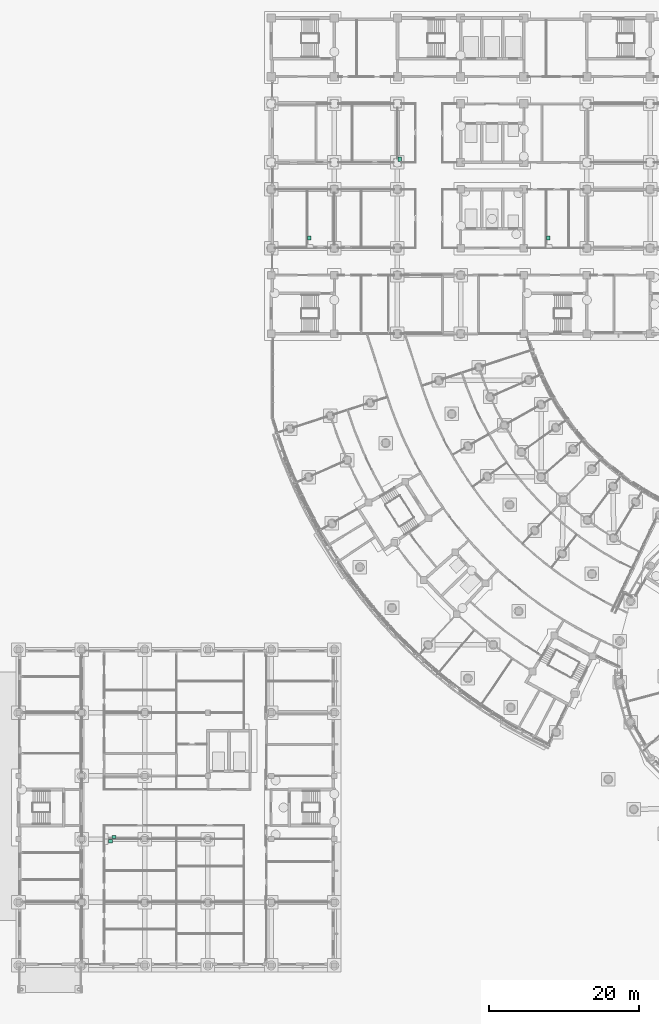
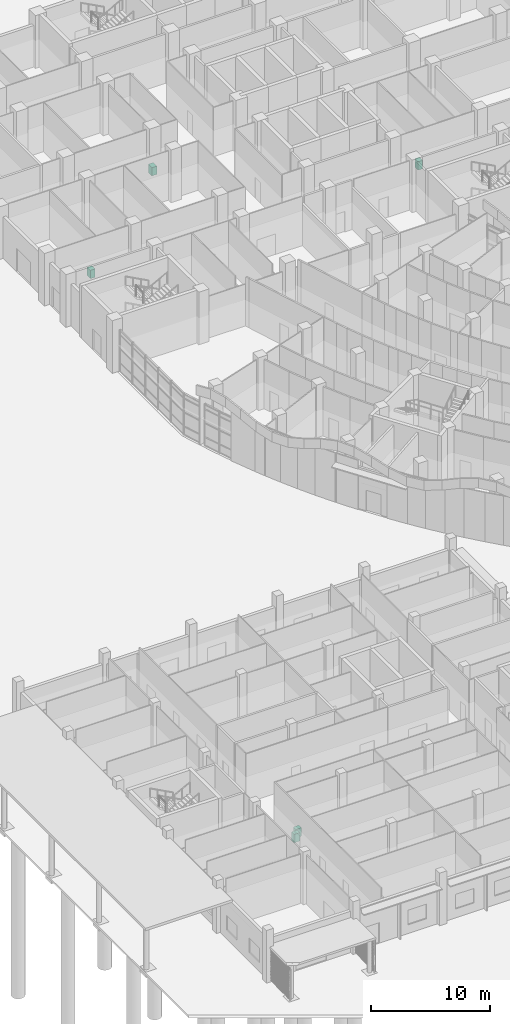
# One storey, part 143 of 146: 5 sanitary terminals.
"""IFC4 building model written with IfcOpenShell, lengths in metres."""

from ifc_helpers import new_model, si_unit, direction, frame, origin, origin_2d, place, context, subcontext, project, spatial, rectangle, extrude, material, type_object, element, save


model = new_model("IFC4")

# Units and contexts
model_context = context("Model", 3, precision=1e-05, world=origin(), true_north=direction((0.0, 1.0)))
body_context = subcontext(model_context, "Body", "Model", "MODEL_VIEW")
ifc_project = project(units=[si_unit("LENGTHUNIT", "METRE"), si_unit("AREAUNIT", "SQUARE_METRE"), si_unit("VOLUMEUNIT", "CUBIC_METRE"), si_unit("PLANEANGLEUNIT", "RADIAN"), si_unit("MASSUNIT", "GRAM", prefix="KILO")], contexts=[model_context])

# Site, building, storey
site_placement = place(None, origin())
site = spatial("IfcSite", under=ifc_project, at=site_placement, CompositionType="ELEMENT")
building_placement = place(site_placement, origin())
building = spatial("IfcBuilding", under=site, at=building_placement, Name="Bougainvillea Quay General Hospital", CompositionType="ELEMENT")
storey_placement = place(building_placement, origin())
storey = spatial("IfcBuildingStorey", under=building, at=storey_placement, Name="L00", CompositionType="ELEMENT", Elevation=0.0)

# Sanitary terminals
ifc_material_1 = material(Name="Stainless steel 304 sink", Category="steel")
sanitary_terminal_type_1 = type_object("IfcSanitaryTerminalType", Name="Stainless steel sink 600x500", PredefinedType="SINK", material=ifc_material_1)
sanitary_terminal_placement = place(storey_placement, frame((59.10009765625, 140.800048828125, 0.0), z_axis=(0.0, 0.0, 1.0), x_axis=(0.0, 1.0, 0.0)))
element("IfcSanitaryTerminal", 1, at=sanitary_terminal_placement, inside=storey, type_object=sanitary_terminal_type_1, Name="Stainless steel sink", PredefinedType="SINK", context=body_context, shape_type="SweptSolid", body=[
    extrude(rectangle(XDim=0.60009765625, YDim=0.5, at=origin_2d()), origin(), (0.0, 0.0, 1.0), 0.85009765625),
])
ifc_material_2 = material(Name="Vitreous china")
sanitary_terminal_type_2 = type_object("IfcSanitaryTerminalType", Name="Wash hand basin 550x450", PredefinedType="WASHHANDBASIN", material=ifc_material_2)
for number, where, z_axis, x_axis, name in (
    (2, (21.125, 50.675048828125, 0.0), (0.0, 0.0, 1.0), (-1.0, 0.0, 0.0), "Wash hand basin"),
    (3, (20.625, 50.125, 0.0), (0.0, 0.0, 1.0), (1.0, 0.0, 0.0), "Wash hand basin"),
    (4, (47.074951171875, 130.324951171875, 0.0), (0.0, 0.0, 1.0), (0.0, 1.0, 0.0), "Wash hand basin"),
    (5, (78.875, 130.324951171875, 0.0), (0.0, 0.0, 1.0), (0.0, 1.0, 0.0), "Wash hand basin"),
):
    element("IfcSanitaryTerminal", number, at=place(storey_placement, frame(where, z_axis=z_axis, x_axis=x_axis)), inside=storey, type_object=sanitary_terminal_type_2, Name=name, PredefinedType="WASHHANDBASIN", context=body_context, shape_type="SweptSolid", body=[
        extrude(rectangle(XDim=0.550048828125, YDim=0.449951171875, at=origin_2d()), origin(), (0.0, 0.0, 1.0), 0.85009765625),
    ])

save(model, "model.ifc")
